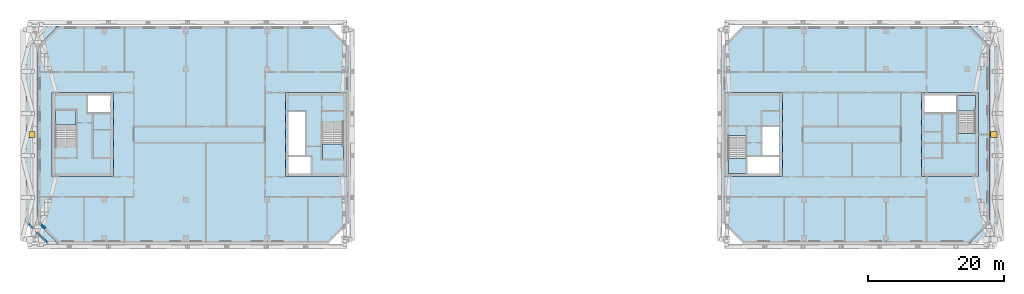
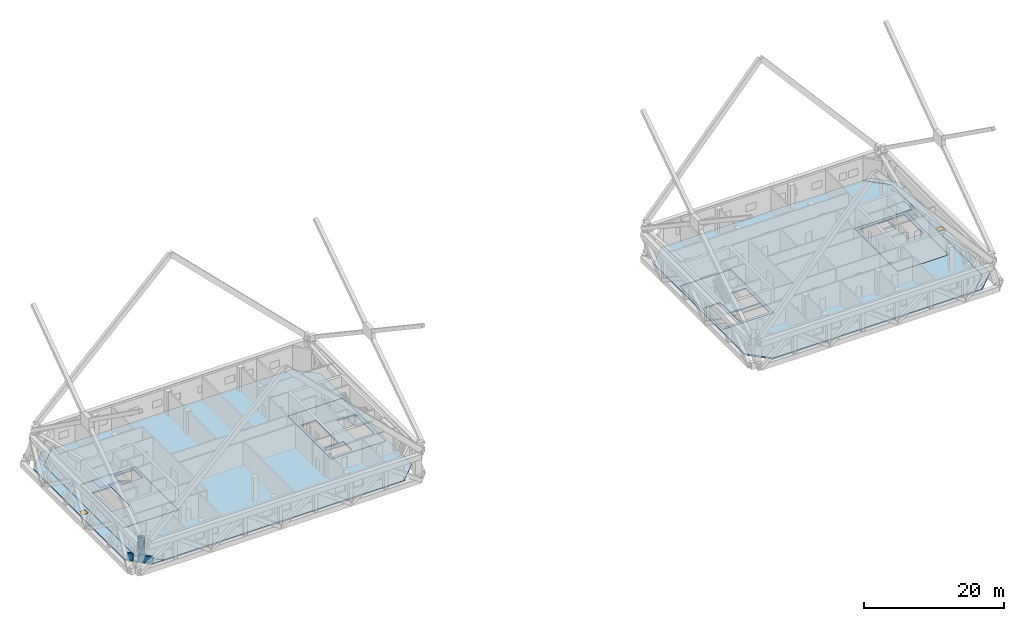
# One storey, part 6 of 20: 12 slabs, 3 walls, 2 windows, 2 openings, 4 elements without a shape of their own.
"""IFC4 building model written with IfcOpenShell, lengths in metres."""

from ifc_helpers import new_model, si_unit, direction, frame, frame_2d, origin, origin_2d, place, context, subcontext, project, spatial, polyline, rectangle, outline, extrude, material, layer, layer_set, type_object, element, fill, aggregate, save


model = new_model("IFC4")

# Units and contexts
model_context = context("Model", 3, precision=1e-05, world=origin(), true_north=direction((0.0, 1.0)))
body_context = subcontext(model_context, "Body", "Model", "MODEL_VIEW")
ifc_project = project(units=[si_unit("LENGTHUNIT", "METRE"), si_unit("AREAUNIT", "SQUARE_METRE"), si_unit("VOLUMEUNIT", "CUBIC_METRE"), si_unit("PLANEANGLEUNIT", "RADIAN"), si_unit("MASSUNIT", "GRAM", prefix="KILO")], contexts=[model_context])

# Site, building, storey
site_placement = place(None, origin())
site = spatial("IfcSite", under=ifc_project, at=site_placement, CompositionType="ELEMENT")
building_placement = place(site_placement, origin())
building = spatial("IfcBuilding", under=site, at=building_placement, Name="Tuart Gate Housing", CompositionType="ELEMENT")
storey_placement = place(building_placement, frame((0.0, 0.0, 167.10009765625)))
storey = spatial("IfcBuildingStorey", under=building, at=storey_placement, Name="L47", CompositionType="ELEMENT", Elevation=167.10009765625)

# Slabs
ifc_material_1 = material(Name="Concrete C40", Category="concrete")
ifc_layer_1 = layer(ifc_material_1, 0.25)
ifc_layer_set_1 = layer_set([ifc_layer_1], Name="Core floor slab 250")
slab_type_1 = type_object("IfcSlabType", Name="Core floor slab 250", PredefinedType="FLOOR", material=ifc_layer_set_1)
slab_1_placement = place(storey_placement, frame((0.0, 0.0, -0.25)))
element("IfcSlab", 1, at=slab_1_placement, inside=storey, type_object=slab_type_1, Name="Core floor AG", PredefinedType="FLOOR", context=body_context, shape_type="SweptSolid", body=[
    extrude(outline(polyline([(66.639892578125, 63.800048828125), (75.639892578125, 63.800048828125), (75.639892578125, 76.199951171875), (66.639892578125, 76.199951171875), (66.639892578125, 63.800048828125)]), holes=[polyline([(67.090087890625, 64.25), (70.385009765625, 64.25), (70.385009765625, 66.72509765625), (67.090087890625, 66.72509765625), (67.090087890625, 64.25)]), polyline([(67.090087890625, 66.97509765625), (69.56494140625, 66.97509765625), (69.56494140625, 73.324951171875), (67.090087890625, 73.324951171875), (67.090087890625, 66.97509765625)]), polyline([(72.114990234375, 66.35009765625), (75.18994140625, 66.35009765625), (75.18994140625, 71.804931640625), (72.114990234375, 71.804931640625), (72.114990234375, 66.35009765625)])]), origin(), (0.0, 0.0, 1.0), 0.25),
])
slab_2_placement = place(storey_placement, frame((0.0, 0.0, -0.25)))
element("IfcSlab", 2, at=slab_2_placement, inside=storey, type_object=slab_type_1, Name="Core floor AK", PredefinedType="FLOOR", context=body_context, shape_type="SweptSolid", body=[
    extrude(outline(polyline([(32.360107421875, 63.800048828125), (41.360107421875, 63.800048828125), (41.360107421875, 76.199951171875), (32.360107421875, 76.199951171875), (32.360107421875, 63.800048828125)]), holes=[polyline([(40.909912109375, 75.75), (37.614990234375, 75.75), (37.614990234375, 73.27490234375), (40.909912109375, 73.27490234375), (40.909912109375, 75.75)]), polyline([(35.885009765625, 73.64990234375), (32.81005859375, 73.64990234375), (32.81005859375, 68.195068359375), (35.885009765625, 68.195068359375), (35.885009765625, 73.64990234375)])]), origin(), (0.0, 0.0, 1.0), 0.25),
])
slab_3_placement = place(storey_placement, frame((0.0, 0.0, -0.25)))
element("IfcSlab", 3, at=slab_3_placement, inside=storey, type_object=slab_type_1, Name="Core floor BG", PredefinedType="FLOOR", context=body_context, shape_type="SweptSolid", body=[
    extrude(outline(polyline([(131.360107421875, 63.800048828125), (139.760009765625, 63.800048828125), (139.760009765625, 76.199951171875), (131.360107421875, 76.199951171875), (131.360107421875, 63.800048828125)]), holes=[polyline([(139.31005859375, 66.85009765625), (134.635009765625, 66.85009765625), (134.635009765625, 64.25), (139.31005859375, 64.25), (139.31005859375, 66.85009765625)]), polyline([(139.31005859375, 71.125), (136.8349609375, 71.125), (136.8349609375, 66.97509765625), (139.31005859375, 66.97509765625), (139.31005859375, 71.125)]), polyline([(134.385009765625, 69.85498046875), (131.81005859375, 69.85498046875), (131.81005859375, 64.25), (134.385009765625, 64.25), (134.385009765625, 69.85498046875)])]), origin(), (0.0, 0.0, 1.0), 0.25),
])
slab_4_placement = place(storey_placement, frame((0.0, 0.0, -0.25)))
element("IfcSlab", 4, at=slab_4_placement, inside=storey, type_object=slab_type_1, Name="Core floor BK", PredefinedType="FLOOR", context=body_context, shape_type="SweptSolid", body=[
    extrude(outline(polyline([(160.239990234375, 63.800048828125), (168.639892578125, 63.800048828125), (168.639892578125, 76.199951171875), (160.239990234375, 76.199951171875), (160.239990234375, 63.800048828125)]), holes=[polyline([(160.68994140625, 73.14990234375), (165.364990234375, 73.14990234375), (165.364990234375, 75.75), (160.68994140625, 75.75), (160.68994140625, 73.14990234375)]), polyline([(165.614990234375, 70.14501953125), (168.18994140625, 70.14501953125), (168.18994140625, 75.75), (165.614990234375, 75.75), (165.614990234375, 70.14501953125)])]), origin(), (0.0, 0.0, 1.0), 0.25),
])
ifc_material_2 = material(Name="Concrete C40", Category="concrete")
ifc_layer_2 = layer(ifc_material_2, 0.25)
ifc_layer_set_2 = layer_set([ifc_layer_2], Name="Flat plate 250")
slab_type_2 = type_object("IfcSlabType", Name="Flat plate 250", PredefinedType="FLOOR", material=ifc_layer_set_2)
slab_5_placement = place(storey_placement, frame((0.0, 0.0, -0.25)))
element("IfcSlab", 5, at=slab_5_placement, inside=storey, type_object=slab_type_2, Name="Floor slab A L47", PredefinedType="FLOOR", context=body_context, shape_type="SweptSolid", body=[
    extrude(outline(polyline([(33.25, 86.0), (30.25, 83.0), (30.25, 57.0), (33.25, 54.0), (73.0, 54.0), (76.0, 57.0), (76.0, 83.0), (73.0, 86.0), (33.25, 86.0)]), holes=[polyline([(66.639892578125, 76.199951171875), (75.639892578125, 76.199951171875), (75.639892578125, 63.800048828125), (66.639892578125, 63.800048828125), (66.639892578125, 76.199951171875)]), polyline([(41.360107421875, 76.199951171875), (41.360107421875, 63.800048828125), (32.360107421875, 63.800048828125), (32.360107421875, 76.199951171875), (41.360107421875, 76.199951171875)])]), origin(), (0.0, 0.0, 1.0), 0.25),
])
slab_6_placement = place(storey_placement, frame((0.0, 0.0, -0.25)))
element("IfcSlab", 6, at=slab_6_placement, inside=storey, type_object=slab_type_2, Name="Floor slab B L47", PredefinedType="FLOOR", context=body_context, shape_type="SweptSolid", body=[
    extrude(outline(polyline([(134.0, 86.0), (131.0, 83.0), (131.0, 57.0), (134.0, 54.0), (167.25, 54.0), (170.25, 57.0), (170.25, 83.0), (167.25, 86.0), (134.0, 86.0)]), holes=[polyline([(131.360107421875, 76.199951171875), (139.760009765625, 76.199951171875), (139.760009765625, 63.800048828125), (131.360107421875, 63.800048828125), (131.360107421875, 76.199951171875)]), polyline([(168.639892578125, 76.199951171875), (168.639892578125, 63.800048828125), (160.239990234375, 63.800048828125), (160.239990234375, 76.199951171875), (168.639892578125, 76.199951171875)])]), origin(), (0.0, 0.0, 1.0), 0.25),
])

# Slab, opening, window
ifc_material_3 = material(Name="Concrete C40", Category="concrete")
ifc_layer_3 = layer(ifc_material_3, 0.25)
ifc_layer_set_3 = layer_set([ifc_layer_3], Name="Roof slab 250")
slab_type_3 = type_object("IfcSlabType", Name="Roof slab 250", PredefinedType="ROOF", material=ifc_layer_set_3)
slab_7_placement = place(storey_placement, frame((0.0, 0.0, -0.25)))
slab_7 = element("IfcSlab", 7, at=slab_7_placement, inside=storey, type_object=slab_type_3, Name="Setback roof slab A L47", PredefinedType="ROOF", context=body_context, shape_type="SweptSolid", body=[
    extrude(outline(polyline([(31.5, 54.0), (33.25, 54.0), (30.25, 57.0), (30.25, 83.0), (33.25, 86.0), (31.5, 86.0), (28.5, 83.0), (28.5, 57.0), (31.5, 54.0)])), origin(), (0.0, 0.0, 1.0), 0.25),
])
opening_1_placement = place(slab_7_placement, frame((29.375, 70.0, 0.0)))
opening_1 = element("IfcOpeningElement", 8, at=opening_1_placement, cuts=slab_7, Name="Opening RH1", PredefinedType="OPENING", context=body_context, shape_type="SweptSolid", body=[
    extrude(rectangle(XDim=0.89990234375, YDim=0.89990234375, at=origin_2d()), frame((0.0, 0.0, -0.010009765625)), (0.0, 0.0, 1.0), 0.27001953125),
])
ifc_material_4 = material(Name="Aluminium frame with clear glass", Category="aluminium")
window_type = type_object("IfcWindowType", Name="Roof hatch 900 x 900", PartitioningType="SINGLE_PANEL", PredefinedType="SKYLIGHT", material=ifc_material_4)
window_1_placement = place(opening_1_placement, frame((0.0, 0.0, 0.199951171875)))
window_1 = element("IfcWindow", 9, at=window_1_placement, inside=storey, type_object=window_type, Name="Roof hatch", OverallHeight=0.89990234375, OverallWidth=0.89990234375, PartitioningType="SINGLE_PANEL", PredefinedType="SKYLIGHT", context=body_context, shape_type="SweptSolid", body=[
    extrude(rectangle(XDim=0.89990234375, YDim=0.89990234375, at=origin_2d()), origin(), (0.0, 0.0, 1.0), 0.050048828125),
])
fill(opening_1, window_1)

slab_8_placement = place(storey_placement, frame((0.0, 0.0, -0.25)))
slab_8 = element("IfcSlab", 10, at=slab_8_placement, inside=storey, type_object=slab_type_3, Name="Setback roof slab B L47", PredefinedType="ROOF", context=body_context, shape_type="SweptSolid", body=[
    extrude(outline(polyline([(168.5, 86.0), (167.25, 86.0), (170.25, 83.0), (170.25, 57.0), (167.25, 54.0), (168.5, 54.0), (171.5, 57.0), (171.5, 83.0), (168.5, 86.0)])), origin(), (0.0, 0.0, 1.0), 0.25),
])
opening_2_placement = place(slab_8_placement, frame((170.875, 70.0, 0.0)))
opening_2 = element("IfcOpeningElement", 11, at=opening_2_placement, cuts=slab_8, Name="Opening RH1", PredefinedType="OPENING", context=body_context, shape_type="SweptSolid", body=[
    extrude(rectangle(XDim=0.89990234375, YDim=0.89990234375, at=origin_2d()), frame((0.0, 0.0, -0.010009765625)), (0.0, 0.0, 1.0), 0.27001953125),
])
window_2_placement = place(opening_2_placement, frame((0.0, 0.0, 0.199951171875)))
window_2 = element("IfcWindow", 12, at=window_2_placement, inside=storey, type_object=window_type, Name="Roof hatch", OverallHeight=0.89990234375, OverallWidth=0.89990234375, PartitioningType="SINGLE_PANEL", PredefinedType="SKYLIGHT", context=body_context, shape_type="SweptSolid", body=[
    extrude(rectangle(XDim=0.89990234375, YDim=0.89990234375, at=origin_2d()), origin(), (0.0, 0.0, 1.0), 0.050048828125),
])
fill(opening_2, window_2)

# Stair, slab
ifc_material_5 = material(Name="Concrete C40", Category="concrete")
stair_type_1 = type_object("IfcStairType", Name="Core stair 1500", PredefinedType="HALF_TURN_STAIR", material=ifc_material_5)
stair_1_placement = place(storey_placement, origin())
stair_1 = element("IfcStair", 13, at=stair_1_placement, inside=storey, type_object=stair_type_1, Name="Stair SA1", PredefinedType="HALF_TURN_STAIR")
ifc_material_6 = material(Name="Concrete C40", Category="concrete")
ifc_layer_4 = layer(ifc_material_6, 0.199951171875)
ifc_layer_set_4 = layer_set([ifc_layer_4], Name="Stair landing 200")
slab_type_4 = type_object("IfcSlabType", Name="Stair landing 200", PredefinedType="LANDING", material=ifc_layer_set_4)
slab_9_placement = place(storey_placement, frame((0.0, 0.0, 2.0498046875)))
slab_9 = element("IfcSlab", 14, at=slab_9_placement, type_object=slab_type_4, Name="SA1 landing 1", PredefinedType="LANDING", context=body_context, shape_type="SweptSolid", body=[
    extrude(outline(polyline([(72.114990234375, 66.35009765625), (75.18994140625, 66.35009765625), (75.18994140625, 68.590087890625), (72.114990234375, 68.590087890625), (72.114990234375, 66.35009765625)])), origin(), (0.0, 0.0, 1.0), 0.2001953125),
])
aggregate(stair_1, [slab_9])

stair_2_placement = place(storey_placement, origin())
stair_2 = element("IfcStair", 15, at=stair_2_placement, inside=storey, type_object=stair_type_1, Name="Stair SA2", PredefinedType="HALF_TURN_STAIR")
slab_10_placement = place(storey_placement, frame((0.0, 0.0, 2.0498046875)))
slab_10 = element("IfcSlab", 16, at=slab_10_placement, type_object=slab_type_4, Name="SA2 landing 1", PredefinedType="LANDING", context=body_context, shape_type="SweptSolid", body=[
    extrude(outline(polyline([(35.885009765625, 73.64990234375), (32.81005859375, 73.64990234375), (32.81005859375, 71.409912109375), (35.885009765625, 71.409912109375), (35.885009765625, 73.64990234375)])), origin(), (0.0, 0.0, 1.0), 0.2001953125),
])
aggregate(stair_2, [slab_10])

ifc_material_7 = material(Name="Concrete C40", Category="concrete")
stair_type_2 = type_object("IfcStairType", Name="Core stair 1250", PredefinedType="HALF_TURN_STAIR", material=ifc_material_7)
stair_3_placement = place(storey_placement, origin())
stair_3 = element("IfcStair", 17, at=stair_3_placement, inside=storey, type_object=stair_type_2, Name="Stair SB1", PredefinedType="HALF_TURN_STAIR")
slab_11_placement = place(storey_placement, frame((0.0, 0.0, 2.0498046875)))
slab_11 = element("IfcSlab", 18, at=slab_11_placement, type_object=slab_type_4, Name="SB1 landing 1", PredefinedType="LANDING", context=body_context, shape_type="SweptSolid", body=[
    extrude(outline(polyline([(134.385009765625, 66.514892578125), (131.81005859375, 66.514892578125), (131.81005859375, 64.25), (134.385009765625, 64.25), (134.385009765625, 66.514892578125)])), origin(), (0.0, 0.0, 1.0), 0.2001953125),
])
aggregate(stair_3, [slab_11])

stair_4_placement = place(storey_placement, origin())
stair_4 = element("IfcStair", 19, at=stair_4_placement, inside=storey, type_object=stair_type_2, Name="Stair SB2", PredefinedType="HALF_TURN_STAIR")
slab_12_placement = place(storey_placement, frame((0.0, 0.0, 2.0498046875)))
slab_12 = element("IfcSlab", 20, at=slab_12_placement, type_object=slab_type_4, Name="SB2 landing 1", PredefinedType="LANDING", context=body_context, shape_type="SweptSolid", body=[
    extrude(outline(polyline([(165.614990234375, 73.485107421875), (168.18994140625, 73.485107421875), (168.18994140625, 75.75), (165.614990234375, 75.75), (165.614990234375, 73.485107421875)])), origin(), (0.0, 0.0, 1.0), 0.2001953125),
])
aggregate(stair_4, [slab_12])

# Walls
ifc_material_8 = material(Name="Brick", Category="masonry")
ifc_layer_5 = layer(ifc_material_8, 0.300048828125)
ifc_layer_set_5 = layer_set([ifc_layer_5], Name="Brick parapet wall 300")
wall_type_1 = type_object("IfcWallType", Name="Brick parapet wall 300", PredefinedType="PARAPET", material=ifc_layer_set_5)
wall_1_placement = place(storey_placement, frame((28.89794921875, 56.814208984375, 0.0), z_axis=(0.0, 0.0, 1.0), x_axis=(0.707106781187, -0.707106781187, 0.0)))
element("IfcWall", 21, at=wall_1_placement, inside=storey, type_object=wall_type_1, Name="Roof parapet A 4", PredefinedType="PARAPET", context=body_context, shape_type="SweptSolid", body=[
    extrude(rectangle(XDim=0.884521484375, YDim=0.300048828125, at=frame_2d((0.4423828125, 0.0))), origin(), (0.0, 0.0, 1.0), 1.099853515625),
])
wall_2_placement = place(storey_placement, frame((30.067626953125, 55.644287109375, 0.0), z_axis=(0.0, 0.0, 1.0), x_axis=(0.707106781187, -0.707106781187, 0.0)))
element("IfcWall", 22, at=wall_2_placement, inside=storey, type_object=wall_type_1, Name="Roof parapet A 4", PredefinedType="PARAPET", context=body_context, shape_type="SweptSolid", body=[
    extrude(rectangle(XDim=2.11328125, YDim=0.300048828125, at=frame_2d((1.056640625, 0.0))), origin(), (0.0, 0.0, 1.0), 1.099853515625),
])
ifc_material_9 = material(Name="Brick", Category="masonry")
ifc_layer_6 = layer(ifc_material_9, 0.360107421875)
ifc_layer_set_6 = layer_set([ifc_layer_6], Name="Brick pier and spandrel wall 360")
wall_type_2 = type_object("IfcWallType", Name="Brick pier and spandrel wall 360", PredefinedType="STANDARD", material=ifc_layer_set_6)
wall_3_placement = place(storey_placement, frame((30.712158203125, 56.79248046875, 0.0), z_axis=(0.0, 0.0, 1.0), x_axis=(0.707106781187, -0.707106781187, 0.0)))
element("IfcWall", 23, at=wall_3_placement, inside=storey, type_object=wall_type_2, Name="External wall A-SW L47", PredefinedType="STANDARD", context=body_context, shape_type="SweptSolid", body=[
    extrude(rectangle(XDim=0.877685546875, YDim=0.360107421875, at=frame_2d((0.43896484375, 0.0))), origin(), (0.0, 0.0, 1.0), 3.39697265625),
])

save(model, "model.ifc")
